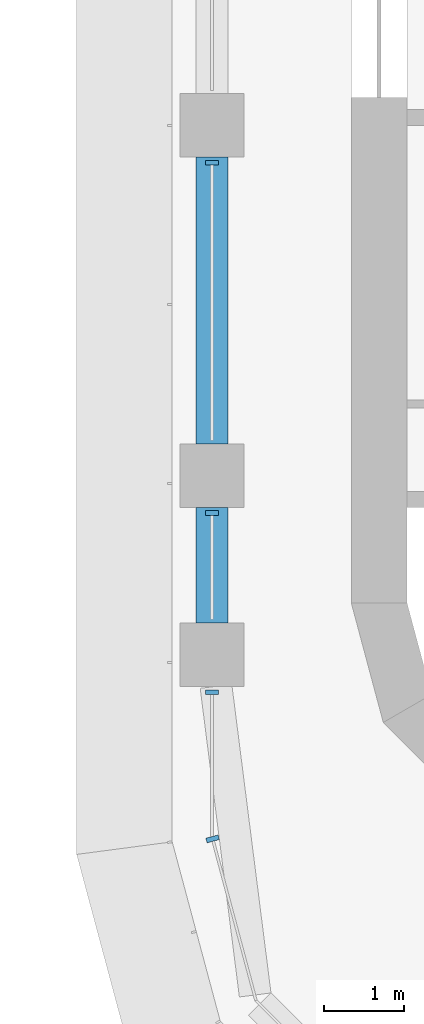
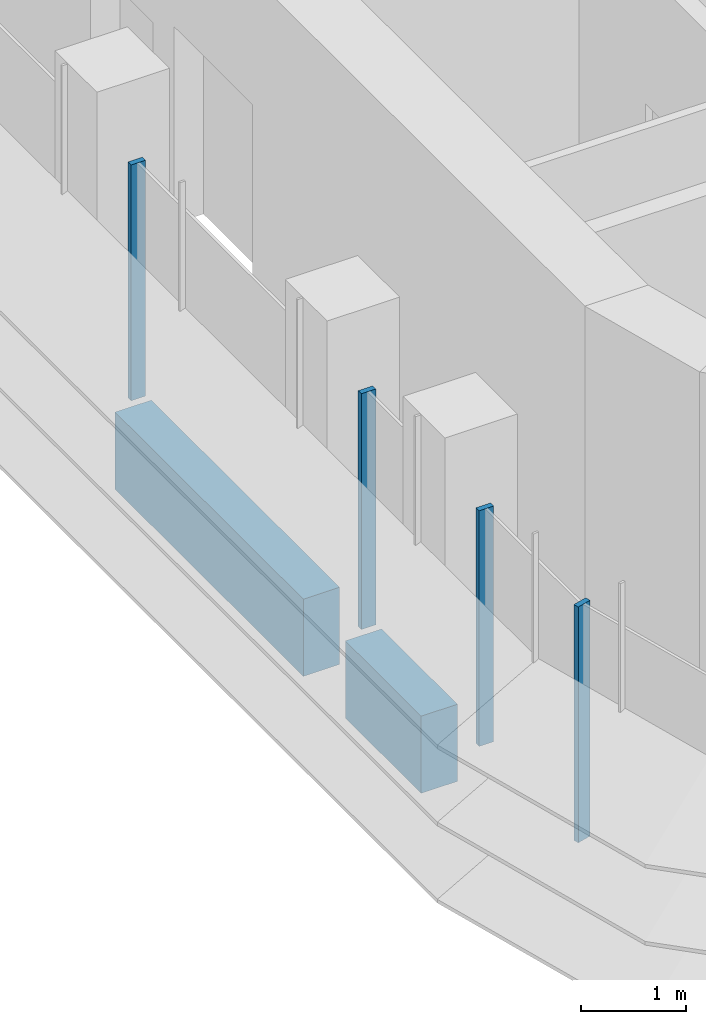
# One storey, part 2 of 20: 4 members, 2 beams, 2 elements without a shape of their own.
"""IFC4 building model written with IfcOpenShell, lengths in metres."""

from ifc_helpers import new_model, si_unit, direction, frame, origin, origin_2d, place, context, subcontext, project, spatial, polyline, rectangle, outline, extrude, source, transform, mapped, material, material_profile, profile_set, type_object, element, aggregate, save


model = new_model("IFC4")

# Units and contexts
model_context = context("Model", 3, precision=1e-05, world=origin(), true_north=direction((0.0, 1.0)))
body_context = subcontext(model_context, "Body", "Model", "MODEL_VIEW")
ifc_project = project(units=[si_unit("LENGTHUNIT", "METRE"), si_unit("AREAUNIT", "SQUARE_METRE"), si_unit("VOLUMEUNIT", "CUBIC_METRE"), si_unit("PLANEANGLEUNIT", "RADIAN"), si_unit("MASSUNIT", "GRAM", prefix="KILO")], contexts=[model_context])

# Site, building, storey
site_placement = place(None, origin())
site = spatial("IfcSite", under=ifc_project, at=site_placement, CompositionType="ELEMENT")
building_placement = place(site_placement, origin())
building = spatial("IfcBuilding", under=site, at=building_placement, Name="Zarbagh Exchange Tower", CompositionType="ELEMENT")
storey_placement = place(building_placement, frame((0.0, 0.0, 148.60009765625)))
storey = spatial("IfcBuildingStorey", under=building, at=storey_placement, Name="L35", CompositionType="ELEMENT", Elevation=148.60009765625)

# Beams
ifc_material_1 = material(Name="Concrete C50/60", Category="concrete")
ifc_material_profile = material_profile(ifc_material_1, rectangle(XDim=0.39990234375, YDim=0.89990234375, at=origin_2d()), Name="RC spandrel beam 400 x 900 C50/60")
ifc_profile_set = profile_set([ifc_material_profile], Name="Concrete C50/60")
beam_type = type_object("IfcBeamType", Name="RC spandrel beam 400 x 900 C50/60", PredefinedType="SPANDREL", material=ifc_profile_set)
beam_1_placement = place(storey_placement, frame((-6.25, -26.5, -0.60009765625), z_axis=(0.0, 1.0, 0.0), x_axis=(-1.0, 0.0, 0.0)))
element("IfcBeam", 1, at=beam_1_placement, inside=storey, type_object=beam_type, Name="RC spandrel beam", PredefinedType="SPANDREL", context=body_context, shape_type="SweptSolid", body=[
    extrude(rectangle(XDim=0.39990234375, YDim=0.89990234375, at=origin_2d()), origin(), (0.0, 0.0, 1.0), 1.449951171875),
])
beam_2_placement = place(storey_placement, frame((-6.25, -24.25, -0.60009765625), z_axis=(0.0, 1.0, 0.0), x_axis=(-1.0, 0.0, 0.0)))
element("IfcBeam", 2, at=beam_2_placement, inside=storey, type_object=beam_type, Name="RC spandrel beam", PredefinedType="SPANDREL", context=body_context, shape_type="SweptSolid", body=[
    extrude(rectangle(XDim=0.39990234375, YDim=0.89990234375, at=origin_2d()), origin(), (0.0, 0.0, 1.0), 3.60009765625),
])

# Curtain wall, members
ifc_material_2 = material(Name="Anodised aluminium frame and glazing", Category="aluminium")
curtain_wall_type = type_object("IfcCurtainWallType", Name="CWB Ribbon glazing, upper zones", PredefinedType="NOTDEFINED", material=ifc_material_2)
curtain_wall_1_placement = place(storey_placement, origin())
curtain_wall_1 = element("IfcCurtainWall", 3, at=curtain_wall_1_placement, inside=storey, type_object=curtain_wall_type, Name="CWB44 curtain wall", PredefinedType="NOTDEFINED")
ifc_material_3 = material(Name="Anodised aluminium frame", Category="aluminium")
member_type = type_object("IfcMemberType", Name="MUB Mullion, anodised aluminium frame", PredefinedType="MULLION", material=ifc_material_3)
shared_shape = source(origin(), body_context, "Body", "SweptSolid", [
    extrude(outline(polyline([(0.0, -0.080078125), (0.06005859375, -0.080078125), (0.06005859375, 0.080078125), (0.0, 0.080078125), (0.0, -0.080078125)])), origin(), (0.0, 0.0, 1.0), 2.75),
])
placement = place(storey_placement, origin())
member_1 = element("IfcMember", 4, at=placement, type_object=member_type, Name="CWB44 mullion 3.1", PredefinedType="MULLION", context=body_context, shape_type="MappedRepresentation", body=[
    mapped(shared_shape, transform((-6.25, -20.68994140625, 0.0), x_axis=(0.0, -1.0, 0.0), y_axis=(1.0, 0.0, 0.0), z_axis=(0.0, 0.0, 1.0))),
])
member_2 = element("IfcMember", 5, at=placement, type_object=member_type, Name="CWB44 mullion 4.1", PredefinedType="MULLION", context=body_context, shape_type="MappedRepresentation", body=[
    mapped(shared_shape, transform((-6.25, -25.090087890625, 0.0), x_axis=(0.0, -1.0, 0.0), y_axis=(1.0, 0.0, 0.0), z_axis=(0.0, 0.0, 1.0))),
])
member_3 = element("IfcMember", 6, at=placement, type_object=member_type, Name="CWB44 mullion 5.1", PredefinedType="MULLION", context=body_context, shape_type="MappedRepresentation", body=[
    mapped(shared_shape, transform((-6.25, -27.340087890625, 0.0), x_axis=(0.0, -1.0, 0.0), y_axis=(1.0, 0.0, 0.0), z_axis=(0.0, 0.0, 1.0))),
])
aggregate(curtain_wall_1, [member_1, member_2, member_3])

# Curtain wall, member
curtain_wall_2_placement = place(storey_placement, origin())
curtain_wall_2 = element("IfcCurtainWall", 7, at=curtain_wall_2_placement, inside=storey, type_object=curtain_wall_type, Name="CWB45 curtain wall", PredefinedType="NOTDEFINED")
member_4 = element("IfcMember", 8, at=placement, type_object=member_type, Name="CWB45 mullion 1.1", PredefinedType="MULLION", context=body_context, shape_type="MappedRepresentation", body=[
    mapped(shared_shape, transform((-6.25, -29.18408203125, 0.0), x_axis=(0.258824779902, -0.965924289636, 0.0), y_axis=(0.965924289636, 0.258824779902, 0.0), z_axis=(0.0, 0.0, 1.0))),
])
aggregate(curtain_wall_2, [member_4])

save(model, "model.ifc")
